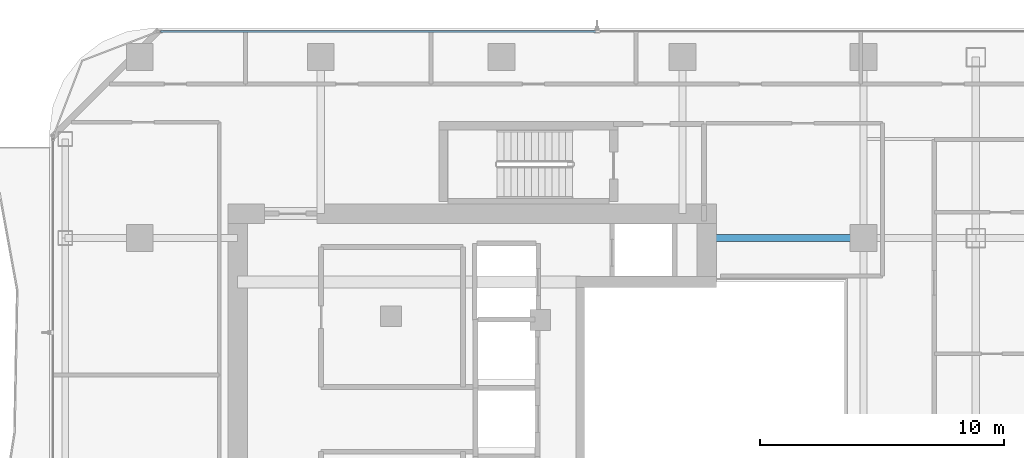
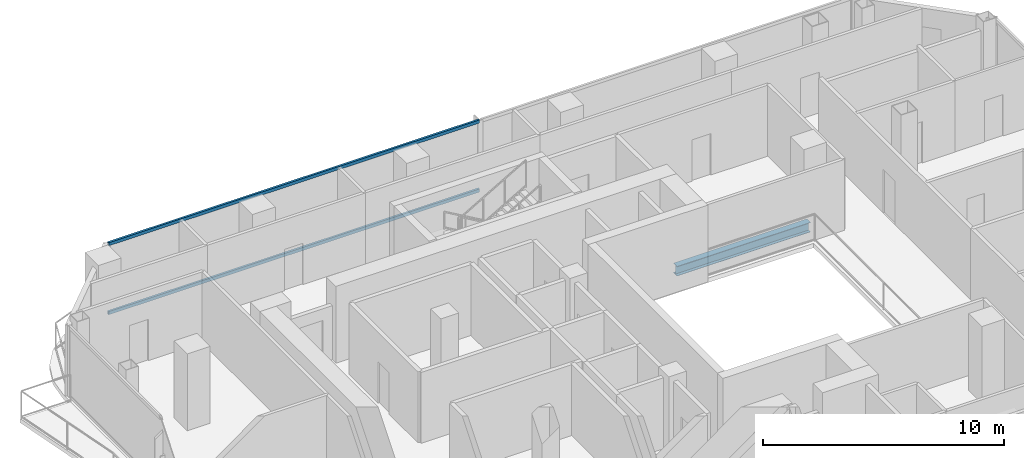
# One storey, part 14 of 27: 2 members, 1 beam, 1 element without a shape of its own.
"""IFC4 building model written with IfcOpenShell, lengths in metres."""

import ifcopenshell
import ifcopenshell.guid

model = None  # the IFC model being written
_history = None  # IfcOwnerHistory: only IFC2X3 demands one
_inside = {}  # id of a spatial element -> (the spatial element, [elements in it])
_under = {}  # id of a project, library or spatial element -> (it, [spatial elements below it])
_declared = {}  # id of a project -> (the project, [libraries it declares])
_typed = {}  # id of a type object -> (the type object, [elements of that type])
_made_of = {}  # id of a material, layer set ... -> (it, [elements and type objects made of it])


def new_model(schema):
    """Start an empty IFC model of exactly this schema.

    Asked for "IFC4X3", IfcOpenShell would pick the latest addendum, in which some entities
    have other attributes; the version numbers below select the first issue.
    IFC2X3 requires an IfcOwnerHistory on every rooted entity: one is made here for all.
    """
    global model, _history
    if schema == "IFC4X3":
        model = ifcopenshell.file(schema_version=(4, 3, 0, 0))
    else:
        model = ifcopenshell.file(schema=schema)
    _inside.clear()
    _under.clear()
    _declared.clear()
    _typed.clear()
    _made_of.clear()
    _history = None
    if model.schema == "IFC2X3":
        org = make("IfcOrganization", Name="unknown")
        user = make(
            "IfcPersonAndOrganization",
            ThePerson=make("IfcPerson", FamilyName="unknown"),
            TheOrganization=org,
        )
        app = make(
            "IfcApplication",
            ApplicationDeveloper=org,
            Version="unknown",
            ApplicationFullName="unknown",
            ApplicationIdentifier="unknown",
        )
        _history = make(
            "IfcOwnerHistory",
            OwningUser=user,
            OwningApplication=app,
            ChangeAction="ADDED",
            CreationDate=0,
        )
    return model


def make(cls, **values):
    """One entity of the class cls with the attributes given. An attribute that is None is left unset."""
    return model.create_entity(
        cls, **{name: value for name, value in values.items() if value is not None}
    )


def rooted(cls, **values):
    """An entity with a GlobalId (a new one), such as an element, a storey or a relation."""
    return make(cls, GlobalId=ifcopenshell.guid.new(), OwnerHistory=_history, **values)


def si_unit(unit_type, name, prefix=None):
    """IfcSIUnit, for example si_unit("LENGTHUNIT", "METRE", prefix="MILLI")."""
    return make("IfcSIUnit", UnitType=unit_type, Prefix=prefix, Name=name)


def assignment(units):
    """IfcUnitAssignment: the units of a project."""
    return None if units is None else make("IfcUnitAssignment", Units=units)


def point(xyz):
    """IfcCartesianPoint."""
    return None if xyz is None else make("IfcCartesianPoint", Coordinates=xyz)


def direction(xyz):
    """IfcDirection."""
    return None if xyz is None else make("IfcDirection", DirectionRatios=xyz)


def frame(location, z_axis=None, x_axis=None):
    """IfcAxis2Placement3D, a coordinate frame: its origin and axes. An axis left out is left unset."""
    return make(
        "IfcAxis2Placement3D",
        Location=point(location),
        Axis=direction(z_axis),
        RefDirection=direction(x_axis),
    )


def frame_2d(location, x_axis=None):
    """IfcAxis2Placement2D, a coordinate frame in the plane: its origin and x axis."""
    return make(
        "IfcAxis2Placement2D", Location=point(location), RefDirection=direction(x_axis)
    )


def origin():
    """The frame at (0, 0, 0) with its axes left unset."""
    return frame((0.0, 0.0, 0.0))


def origin_2d():
    """The frame at (0, 0) in the plane with its x axis left unset."""
    return frame_2d((0.0, 0.0))


def place(relative_to, where):
    """IfcLocalPlacement: puts the frame where relative to a parent placement (None: the world)."""
    return make(
        "IfcLocalPlacement", PlacementRelTo=relative_to, RelativePlacement=where
    )


def context(
    kind, dimensions, precision=None, world=None, true_north=None, identifier=None
):
    """IfcGeometricRepresentationContext, for example the 3D "Model" context."""
    return make(
        "IfcGeometricRepresentationContext",
        ContextIdentifier=identifier,
        ContextType=kind,
        CoordinateSpaceDimension=dimensions,
        Precision=precision,
        WorldCoordinateSystem=world,
        TrueNorth=true_north,
    )


def subcontext(parent, identifier, kind, view, scale=None):
    """IfcGeometricRepresentationSubContext, for example "Body" below "Model"."""
    return make(
        "IfcGeometricRepresentationSubContext",
        ContextIdentifier=identifier,
        ContextType=kind,
        ParentContext=parent,
        TargetScale=scale,
        TargetView=view,
    )


def project(units=None, contexts=None):
    """IfcProject with its units and contexts."""
    return rooted(
        "IfcProject",
        Name="project",
        RepresentationContexts=contexts,
        UnitsInContext=assignment(units),
    )


def spatial(cls, under=None, at=None, **own):
    """A site, building, storey or space (cls), placed at a placement, below another one or the project."""
    s = rooted(cls, ObjectPlacement=at, **own)
    if under is not None:
        _under.setdefault(under.id(), (under, []))[1].append(s)
    return s


def profile(cls, at=None, kind="AREA", **sizes):
    """A parametric profile (cls). Its sizes go by their IFC names, for example OverallWidth=200.0."""
    return make(cls, ProfileType=kind, Position=at, **sizes)


def hollow_rectangle(**sizes):
    """IfcRectangleHollowProfileDef."""
    return profile("IfcRectangleHollowProfileDef", **sizes)


def i_section(**sizes):
    """IfcIShapeProfileDef."""
    return profile("IfcIShapeProfileDef", **sizes)


def extrude(swept, where, along, depth):
    """IfcExtrudedAreaSolid: the profile swept, set in the frame where, extruded along a direction by depth."""
    return make(
        "IfcExtrudedAreaSolid",
        SweptArea=swept,
        Position=where,
        ExtrudedDirection=direction(along),
        Depth=depth,
    )


def shape(context_of_items, identifier, shape_type, items):
    """IfcShapeRepresentation: the items that make up one representation, for example the "Body"."""
    return make(
        "IfcShapeRepresentation",
        ContextOfItems=context_of_items,
        RepresentationIdentifier=identifier,
        RepresentationType=shape_type,
        Items=items,
    )


def material(Name=None, Category=None):
    """IfcMaterial."""
    return make("IfcMaterial", Name=Name, Category=Category)


def layer(
    of_material, thickness, ventilated=None, Name=None, Category=None, Priority=None
):
    """IfcMaterialLayer: one layer of a wall or slab, of a material (None: an air gap)."""
    return make(
        "IfcMaterialLayer",
        Material=of_material,
        LayerThickness=thickness,
        IsVentilated=ventilated,
        Name=Name,
        Category=Category,
        Priority=Priority,
    )


def layer_set(layers, Name=None):
    """IfcMaterialLayerSet."""
    return make("IfcMaterialLayerSet", MaterialLayers=layers, LayerSetName=Name)


def material_profile(
    of_material, cross_section, Name=None, Category=None, Priority=None
):
    """IfcMaterialProfile: a cross section and its material."""
    return make(
        "IfcMaterialProfile",
        Name=Name,
        Material=of_material,
        Profile=cross_section,
        Priority=Priority,
        Category=Category,
    )


def profile_set(profiles, Name=None, composite=None):
    """IfcMaterialProfileSet."""
    return make(
        "IfcMaterialProfileSet",
        Name=Name,
        MaterialProfiles=profiles,
        CompositeProfile=composite,
    )


def made_of(thing, what):
    """Note that an element or type object is made of a material, layer set ...; save() writes the relation."""
    if what is not None:
        _made_of.setdefault(what.id(), (what, []))[1].append(thing)
    return thing


def type_object(cls, material=None, **own):
    """A type object (cls), such as IfcWallType, which elements share."""
    return made_of(rooted(cls, **own), material)


def element(
    cls,
    number,
    at=None,
    inside=None,
    cuts=None,
    type_object=None,
    material=None,
    context=None,
    identifier="Body",
    shape_type=None,
    held_by="IfcProductDefinitionShape",
    body=None,
    shapes=None,
    **own,
):
    """One element of the class cls, such as IfcWall. Its Tag is "e" and its number.

    at: its placement. inside: the storey or other place that contains it. cuts: it is an
    opening in that element (IfcRelVoidsElement). A single representation is given by context,
    identifier, shape_type and body (its items); several are given by shapes. held_by: the class
    of the entity that holds the representations. save() writes the other relations.
    """
    e = rooted(cls, Tag="e%d" % number, ObjectPlacement=at, **own)
    if body is not None:
        shapes = [shape(context, identifier, shape_type, body)]
    if shapes is not None:
        e.Representation = make(held_by, Representations=shapes)
    if inside is not None:
        _inside.setdefault(inside.id(), (inside, []))[1].append(e)
    if cuts is not None:
        rooted(
            "IfcRelVoidsElement", RelatingBuildingElement=cuts, RelatedOpeningElement=e
        )
    if type_object is not None:
        _typed.setdefault(type_object.id(), (type_object, []))[1].append(e)
    return made_of(e, material)


def aggregate(whole, parts):
    """IfcRelAggregates: a whole, such as a stair, and the parts it consists of."""
    return rooted("IfcRelAggregates", RelatingObject=whole, RelatedObjects=parts)


def save(model, path):
    """Write the relations noted so far, then the file.

    IfcRelAggregates (storeys below a building ...), IfcRelContainedInSpatialStructure (elements
    in a storey), IfcRelDefinesByType, IfcRelAssociatesMaterial and IfcRelDeclares: one each for
    every whole, place, type object, material and project.
    """
    for whole, parts in _under.values():
        aggregate(whole, parts)
    for where, things in _inside.values():
        rooted(
            "IfcRelContainedInSpatialStructure",
            RelatedElements=things,
            RelatingStructure=where,
        )
    for kind, things in _typed.values():
        rooted("IfcRelDefinesByType", RelatedObjects=things, RelatingType=kind)
    for what, things in _made_of.values():
        rooted("IfcRelAssociatesMaterial", RelatedObjects=things, RelatingMaterial=what)
    for by, libraries in _declared.values():
        rooted("IfcRelDeclares", RelatingContext=by, RelatedDefinitions=libraries)
    model.write(path)


model = new_model("IFC4")

# Units and contexts
model_context = context("Model", 3, precision=1e-05, world=origin(), true_north=direction((0.0, 1.0)))
body_context = subcontext(model_context, "Body", "Model", "MODEL_VIEW")
ifc_project = project(units=[si_unit("LENGTHUNIT", "METRE"), si_unit("AREAUNIT", "SQUARE_METRE"), si_unit("VOLUMEUNIT", "CUBIC_METRE"), si_unit("PLANEANGLEUNIT", "RADIAN"), si_unit("MASSUNIT", "GRAM", prefix="KILO")], contexts=[model_context])

# Site, building, storey
site_placement = place(None, origin())
site = spatial("IfcSite", under=ifc_project, at=site_placement, CompositionType="ELEMENT")
building_placement = place(site_placement, origin())
building = spatial("IfcBuilding", under=site, at=building_placement, Name="Khorvyn Point Tower", CompositionType="ELEMENT")
storey_placement = place(building_placement, frame((0.0, 0.0, 231.300048828125)))
storey = spatial("IfcBuildingStorey", under=building, at=storey_placement, Name="L57", CompositionType="ELEMENT", Elevation=231.300048828125)

# Curtain wall, members
ifc_material_1 = material(Name="Anodised aluminium 6063-T6 and laminated Low-E glass", Category="aluminium")
ifc_layer = layer(ifc_material_1, 0.18994140625)
ifc_layer_set = layer_set([ifc_layer], Name="Stick-Built Acoustic Curtain Wall CW-SYS-03")
curtain_wall_type = type_object("IfcCurtainWallType", Name="Stick-Built Acoustic Curtain Wall CW-SYS-03", PredefinedType="NOTDEFINED", material=ifc_layer_set)
curtain_wall_placement = place(storey_placement, origin())
curtain_wall = element("IfcCurtainWall", 1, at=curtain_wall_placement, inside=storey, type_object=curtain_wall_type, Name="Curtain Wall", PredefinedType="NOTDEFINED")
ifc_material_2 = material(Name="Anodised aluminium 6063-T6", Category="aluminium")
ifc_material_profile_1 = material_profile(ifc_material_2, hollow_rectangle(XDim=0.10009765625, YDim=0.159912109375, WallThickness=0.00439453125, at=origin_2d()))
ifc_profile_set_1 = profile_set([ifc_material_profile_1], Name="Anodised aluminium 6063-T6 ALU-TRN-100x160")
member_type = type_object("IfcMemberType", Name="Anodised Aluminium 6063-T6 Transom ALU-TRN-100x160", PredefinedType="USERDEFINED", material=ifc_profile_set_1)
member_1_placement = place(storey_placement, frame((-13.949951171875, 15.85009765625, 0.050048828125), z_axis=(1.0, 0.0, 0.0), x_axis=(0.0, 1.0, 0.0)))
member_1 = element("IfcMember", 2, at=member_1_placement, type_object=member_type, Name="Transom", ObjectType="TRANSOM", PredefinedType="USERDEFINED", context=body_context, shape_type="SweptSolid", body=[
    extrude(hollow_rectangle(XDim=0.10009765625, YDim=0.159912109375, WallThickness=0.00439453125, at=origin_2d()), origin(), (0.0, 0.0, 1.0), 17.800048828125),
])
member_2_placement = place(storey_placement, frame((-13.949951171875, 15.85009765625, 3.550048828125), z_axis=(1.0, 0.0, 0.0), x_axis=(0.0, 1.0, 0.0)))
member_2 = element("IfcMember", 3, at=member_2_placement, type_object=member_type, Name="Transom", ObjectType="TRANSOM", PredefinedType="USERDEFINED", context=body_context, shape_type="SweptSolid", body=[
    extrude(hollow_rectangle(XDim=0.10009765625, YDim=0.159912109375, WallThickness=0.00439453125, at=origin_2d()), origin(), (0.0, 0.0, 1.0), 17.800048828125),
])
aggregate(curtain_wall, [member_1, member_2])

# Beam
ifc_material_3 = material(Name="Steel S355", Category="steel")
ifc_material_profile_2 = material_profile(ifc_material_3, i_section(OverallWidth=0.300048828125, OverallDepth=0.488037109375, WebThickness=0.010986328125, FlangeThickness=0.01806640625, at=origin_2d()))
ifc_profile_set_2 = profile_set([ifc_material_profile_2], Name="Steel S355 H488x300x11x18")
beam_type = type_object("IfcBeamType", Name="Steel S355 Spandrel H488x300x11x18", PredefinedType="SPANDREL", material=ifc_profile_set_2)
beam_placement = place(storey_placement, frame((8.39990234375, 7.39990234375, -0.464111328125), z_axis=(1.0, 0.0, 0.0), x_axis=(0.0, 1.0, 0.0)))
element("IfcBeam", 4, at=beam_placement, inside=storey, type_object=beam_type, Name="Beam", PredefinedType="SPANDREL", context=body_context, shape_type="SweptSolid", body=[
    extrude(i_section(OverallWidth=0.300048828125, OverallDepth=0.488037109375, WebThickness=0.010986328125, FlangeThickness=0.01806640625, at=origin_2d()), origin(), (0.0, 0.0, 1.0), 6.400146484375),
])

save(model, "model.ifc")
